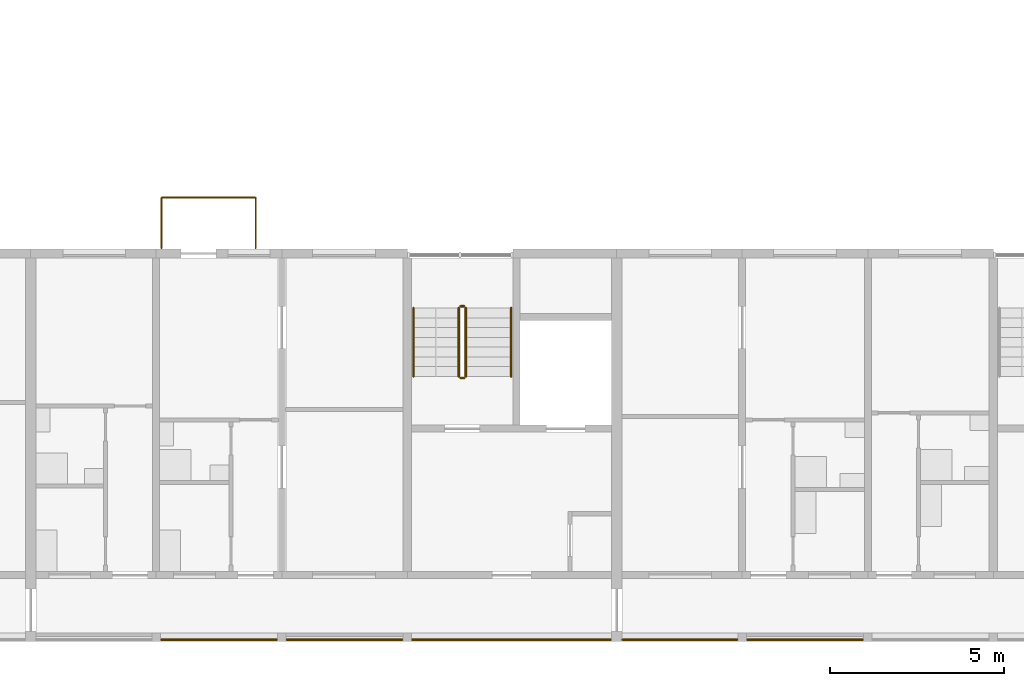
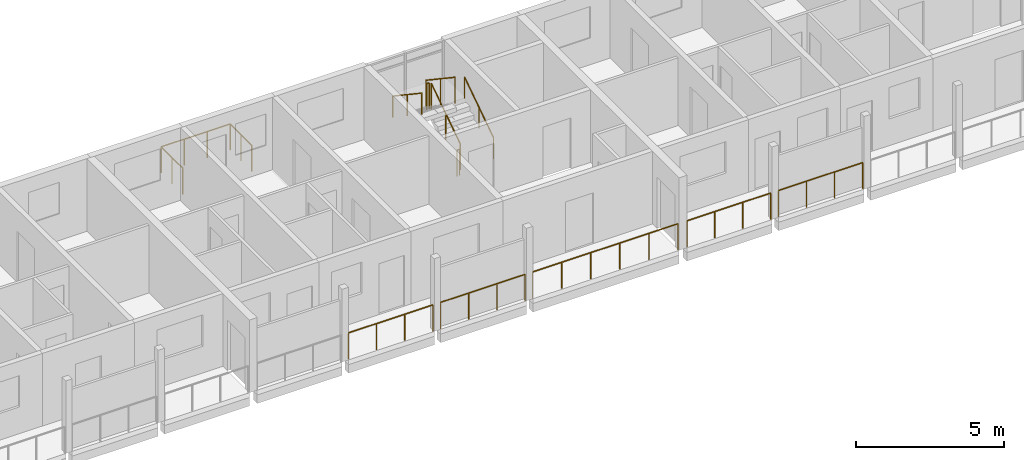
# One storey, part 83 of 93: 12 railings.
"""IFC4 building model written with IfcOpenShell, lengths in metres."""

from ifc_helpers import new_model, si_unit, direction, frame, origin, origin_2d, place, context, subcontext, project, spatial, circle, extrude, material, type_object, element, save


model = new_model("IFC4")

# Units and contexts
model_context = context("Model", 3, precision=1e-05, world=origin(), true_north=direction((0.0, 1.0)))
body_context = subcontext(model_context, "Body", "Model", "MODEL_VIEW")
ifc_project = project(units=[si_unit("LENGTHUNIT", "METRE"), si_unit("AREAUNIT", "SQUARE_METRE"), si_unit("VOLUMEUNIT", "CUBIC_METRE"), si_unit("PLANEANGLEUNIT", "RADIAN"), si_unit("MASSUNIT", "GRAM", prefix="KILO")], contexts=[model_context])

# Site, building, storey
site_placement = place(None, origin())
site = spatial("IfcSite", under=ifc_project, at=site_placement, CompositionType="ELEMENT")
building_placement = place(site_placement, origin())
building = spatial("IfcBuilding", under=site, at=building_placement, Name="Ridgestep Commons", CompositionType="ELEMENT")
storey_placement = place(building_placement, frame((0.0, 0.0, 18.0)))
storey = spatial("IfcBuildingStorey", under=building, at=storey_placement, Name="L06", CompositionType="ELEMENT", Elevation=18.0)

# Railings
ifc_material_1 = material(Name="Structural steel S355JR", Category="steel")
railing_type_1 = type_object("IfcRailingType", Name="Guard 1100", PredefinedType="GUARDRAIL", material=ifc_material_1)
railing_1_placement = place(storey_placement, frame((184.14599609375, 11.800048828125, 0.0)))
element("IfcRailing", 1, at=railing_1_placement, inside=storey, type_object=railing_type_1, Name="Gallery guard D 06.10", PredefinedType="GUARDRAIL", context=body_context, shape_type="SweptSolid", body=[
    extrude(circle(Radius=0.02392578125, at=origin_2d()), frame((0.0, 0.0, 1.076171875), z_axis=(1.0, 0.0, 0.0), x_axis=(0.0, 1.0, 0.0)), (0.0, 0.0, 1.0), 3.30810546875),
    extrude(circle(Radius=0.02099609375, at=origin_2d()), origin(), (0.0, 0.0, 1.0), 1.052001953125),
    extrude(circle(Radius=0.02099609375, at=origin_2d()), frame((1.102783203125, 0.0, 0.0)), (0.0, 0.0, 1.0), 1.052001953125),
    extrude(circle(Radius=0.02099609375, at=origin_2d()), frame((2.205322265625, 0.0, 0.0)), (0.0, 0.0, 1.0), 1.052001953125),
    extrude(circle(Radius=0.02099609375, at=origin_2d()), frame((3.30810546875, 0.0, 0.0)), (0.0, 0.0, 1.0), 1.052001953125),
])
railing_2_placement = place(storey_placement, frame((187.74609375, 11.800048828125, 0.0)))
element("IfcRailing", 2, at=railing_2_placement, inside=storey, type_object=railing_type_1, Name="Gallery guard D 06.11", PredefinedType="GUARDRAIL", context=body_context, shape_type="SweptSolid", body=[
    extrude(circle(Radius=0.02392578125, at=origin_2d()), frame((0.0, 0.0, 1.076171875), z_axis=(1.0, 0.0, 0.0), x_axis=(0.0, 1.0, 0.0)), (0.0, 0.0, 1.0), 3.307861328125),
    extrude(circle(Radius=0.02099609375, at=origin_2d()), origin(), (0.0, 0.0, 1.0), 1.052001953125),
    extrude(circle(Radius=0.02099609375, at=origin_2d()), frame((1.1025390625, 0.0, 0.0)), (0.0, 0.0, 1.0), 1.052001953125),
    extrude(circle(Radius=0.02099609375, at=origin_2d()), frame((2.205322265625, 0.0, 0.0)), (0.0, 0.0, 1.0), 1.052001953125),
    extrude(circle(Radius=0.02099609375, at=origin_2d()), frame((3.307861328125, 0.0, 0.0)), (0.0, 0.0, 1.0), 1.052001953125),
])
railing_3_placement = place(storey_placement, frame((191.345947265625, 11.800048828125, 0.0)))
element("IfcRailing", 3, at=railing_3_placement, inside=storey, type_object=railing_type_1, Name="Gallery guard D 06.12", PredefinedType="GUARDRAIL", context=body_context, shape_type="SweptSolid", body=[
    extrude(circle(Radius=0.02392578125, at=origin_2d()), frame((0.0, 0.0, 1.076171875), z_axis=(1.0, 0.0, 0.0), x_axis=(0.0, 1.0, 0.0)), (0.0, 0.0, 1.0), 5.68310546875),
    extrude(circle(Radius=0.02099609375, at=origin_2d()), origin(), (0.0, 0.0, 1.0), 1.052001953125),
    extrude(circle(Radius=0.02099609375, at=origin_2d()), frame((1.13671875, 0.0, 0.0)), (0.0, 0.0, 1.0), 1.052001953125),
    extrude(circle(Radius=0.02099609375, at=origin_2d()), frame((2.273193359375, 0.0, 0.0)), (0.0, 0.0, 1.0), 1.052001953125),
    extrude(circle(Radius=0.02099609375, at=origin_2d()), frame((3.409912109375, 0.0, 0.0)), (0.0, 0.0, 1.0), 1.052001953125),
    extrude(circle(Radius=0.02099609375, at=origin_2d()), frame((4.54638671875, 0.0, 0.0)), (0.0, 0.0, 1.0), 1.052001953125),
    extrude(circle(Radius=0.02099609375, at=origin_2d()), frame((5.68310546875, 0.0, 0.0)), (0.0, 0.0, 1.0), 1.052001953125),
])
railing_4_placement = place(storey_placement, frame((197.37109375, 11.800048828125, 0.0)))
element("IfcRailing", 4, at=railing_4_placement, inside=storey, type_object=railing_type_1, Name="Gallery guard D 06.13", PredefinedType="GUARDRAIL", context=body_context, shape_type="SweptSolid", body=[
    extrude(circle(Radius=0.02392578125, at=origin_2d()), frame((0.0, 0.0, 1.076171875), z_axis=(1.0, 0.0, 0.0), x_axis=(0.0, 1.0, 0.0)), (0.0, 0.0, 1.0), 3.282958984375),
    extrude(circle(Radius=0.02099609375, at=origin_2d()), origin(), (0.0, 0.0, 1.0), 1.052001953125),
    extrude(circle(Radius=0.02099609375, at=origin_2d()), frame((1.09423828125, 0.0, 0.0)), (0.0, 0.0, 1.0), 1.052001953125),
    extrude(circle(Radius=0.02099609375, at=origin_2d()), frame((2.188720703125, 0.0, 0.0)), (0.0, 0.0, 1.0), 1.052001953125),
    extrude(circle(Radius=0.02099609375, at=origin_2d()), frame((3.282958984375, 0.0, 0.0)), (0.0, 0.0, 1.0), 1.052001953125),
])
railing_5_placement = place(storey_placement, frame((200.946044921875, 11.800048828125, 0.0)))
element("IfcRailing", 5, at=railing_5_placement, inside=storey, type_object=railing_type_1, Name="Gallery guard D 06.14", PredefinedType="GUARDRAIL", context=body_context, shape_type="SweptSolid", body=[
    extrude(circle(Radius=0.02392578125, at=origin_2d()), frame((0.0, 0.0, 1.076171875), z_axis=(1.0, 0.0, 0.0), x_axis=(0.0, 1.0, 0.0)), (0.0, 0.0, 1.0), 3.307861328125),
    extrude(circle(Radius=0.02099609375, at=origin_2d()), origin(), (0.0, 0.0, 1.0), 1.052001953125),
    extrude(circle(Radius=0.02099609375, at=origin_2d()), frame((1.1025390625, 0.0, 0.0)), (0.0, 0.0, 1.0), 1.052001953125),
    extrude(circle(Radius=0.02099609375, at=origin_2d()), frame((2.205322265625, 0.0, 0.0)), (0.0, 0.0, 1.0), 1.052001953125),
    extrude(circle(Radius=0.02099609375, at=origin_2d()), frame((3.307861328125, 0.0, 0.0)), (0.0, 0.0, 1.0), 1.052001953125),
])
ifc_material_2 = material(Name="Structural steel S355JR", Category="steel")
railing_type_2 = type_object("IfcRailingType", Name="Stair guard 1100", PredefinedType="GUARDRAIL", material=ifc_material_2)
railing_6_placement = place(storey_placement, frame((192.875, 19.35009765625, 0.1875)))
element("IfcRailing", 6, at=railing_6_placement, inside=storey, type_object=railing_type_2, Name="L06 D3C stair guard 1", PredefinedType="GUARDRAIL", context=body_context, shape_type="SweptSolid", body=[
    extrude(circle(Radius=0.02392578125, at=origin_2d()), frame((0.0, 0.0, 1.076171875), z_axis=(0.0, 0.830902050051, 0.556418712142), x_axis=(-1.0, 0.0, 0.0)), (0.0, 0.0, 1.0), 2.35888671875),
    extrude(circle(Radius=0.02099609375, at=origin_2d()), origin(), (0.0, 0.0, 1.0), 1.052001953125),
    extrude(circle(Radius=0.02099609375, at=origin_2d()), frame((0.0, 0.97998046875, 0.65625)), (0.0, 0.0, 1.0), 1.052001953125),
    extrude(circle(Radius=0.02099609375, at=origin_2d()), frame((0.0, 1.9599609375, 1.3125)), (0.0, 0.0, 1.0), 1.052001953125),
])
railing_7_placement = place(storey_placement, frame((192.824951171875, 21.360107421875, 1.5)))
element("IfcRailing", 7, at=railing_7_placement, inside=storey, type_object=railing_type_2, Name="L06 D3C stair guard 2", PredefinedType="GUARDRAIL", context=body_context, shape_type="SweptSolid", body=[
    extrude(circle(Radius=0.02392578125, at=origin_2d()), frame((0.0, 0.0, 1.076171875), z_axis=(-1.0, 0.0, 0.0), x_axis=(0.0, -1.0, 0.0)), (0.0, 0.0, 1.0), 0.099853515625),
    extrude(circle(Radius=0.02099609375, at=origin_2d()), origin(), (0.0, 0.0, 1.0), 1.052001953125),
    extrude(circle(Radius=0.02099609375, at=origin_2d()), frame((-0.099853515625, 0.0, 0.0)), (0.0, 0.0, 1.0), 1.052001953125),
])
railing_8_placement = place(storey_placement, frame((192.675048828125, 21.31005859375, 1.6875)))
element("IfcRailing", 8, at=railing_8_placement, inside=storey, type_object=railing_type_2, Name="L06 D3C stair guard 3", PredefinedType="GUARDRAIL", context=body_context, shape_type="SweptSolid", body=[
    extrude(circle(Radius=0.02392578125, at=origin_2d()), frame((0.0, 0.0, 1.076171875), z_axis=(0.0, -0.830902050051, 0.556418712142), x_axis=(1.0, 0.0, 0.0)), (0.0, 0.0, 1.0), 2.35888671875),
    extrude(circle(Radius=0.02099609375, at=origin_2d()), origin(), (0.0, 0.0, 1.0), 1.052001953125),
    extrude(circle(Radius=0.02099609375, at=origin_2d()), frame((0.0, -0.97998046875, 0.65625)), (0.0, 0.0, 1.0), 1.052001953125),
    extrude(circle(Radius=0.02099609375, at=origin_2d()), frame((0.0, -1.9599609375, 1.3125)), (0.0, 0.0, 1.0), 1.052001953125),
])
railing_9_placement = place(storey_placement, frame((192.824951171875, 19.300048828125, 0.0)))
element("IfcRailing", 9, at=railing_9_placement, inside=storey, type_object=railing_type_2, Name="L06 D3C stair guard 4", PredefinedType="GUARDRAIL", context=body_context, shape_type="SweptSolid", body=[
    extrude(circle(Radius=0.02392578125, at=origin_2d()), frame((0.0, 0.0, 1.076171875), z_axis=(-1.0, 0.0, 0.0), x_axis=(0.0, -1.0, 0.0)), (0.0, 0.0, 1.0), 0.099853515625),
    extrude(circle(Radius=0.02099609375, at=origin_2d()), origin(), (0.0, 0.0, 1.0), 1.052001953125),
    extrude(circle(Radius=0.02099609375, at=origin_2d()), frame((-0.099853515625, 0.0, 0.0)), (0.0, 0.0, 1.0), 1.052001953125),
])
ifc_material_3 = material(Name="Structural steel S355JR", Category="steel")
railing_type_3 = type_object("IfcRailingType", Name="Stair handrail 900", PredefinedType="HANDRAIL", material=ifc_material_3)
railing_10_placement = place(storey_placement, frame((194.175048828125, 19.35009765625, 0.1875)))
element("IfcRailing", 10, at=railing_10_placement, inside=storey, type_object=railing_type_3, Name="L06 D3C stair handrail 1", PredefinedType="HANDRAIL", context=body_context, shape_type="SweptSolid", body=[
    extrude(circle(Radius=0.02392578125, at=origin_2d()), frame((0.0, 0.0, 0.8759765625), z_axis=(0.0, 0.830902050051, 0.556418712142), x_axis=(-1.0, 0.0, 0.0)), (0.0, 0.0, 1.0), 2.35888671875),
    extrude(circle(Radius=0.02099609375, at=origin_2d()), origin(), (0.0, 0.0, 1.0), 0.851806640625),
    extrude(circle(Radius=0.02099609375, at=origin_2d()), frame((0.0, 0.97998046875, 0.65625)), (0.0, 0.0, 1.0), 0.851806640625),
    extrude(circle(Radius=0.02099609375, at=origin_2d()), frame((0.0, 1.9599609375, 1.3125)), (0.0, 0.0, 1.0), 0.851806640625),
])
railing_11_placement = place(storey_placement, frame((191.375, 21.31005859375, 1.6875)))
element("IfcRailing", 11, at=railing_11_placement, inside=storey, type_object=railing_type_3, Name="L06 D3C stair handrail 2", PredefinedType="HANDRAIL", context=body_context, shape_type="SweptSolid", body=[
    extrude(circle(Radius=0.02392578125, at=origin_2d()), frame((0.0, 0.0, 0.8759765625), z_axis=(0.0, -0.830902050051, 0.556418712142), x_axis=(1.0, 0.0, 0.0)), (0.0, 0.0, 1.0), 2.35888671875),
    extrude(circle(Radius=0.02099609375, at=origin_2d()), origin(), (0.0, 0.0, 1.0), 0.851806640625),
    extrude(circle(Radius=0.02099609375, at=origin_2d()), frame((0.0, -0.97998046875, 0.65625)), (0.0, 0.0, 1.0), 0.851806640625),
    extrude(circle(Radius=0.02099609375, at=origin_2d()), frame((0.0, -1.9599609375, 1.3125)), (0.0, 0.0, 1.0), 0.851806640625),
])
ifc_material_4 = material(Name="Weathering steel S355J2W", Category="steel")
railing_type_4 = type_object("IfcRailingType", Name="Tray guard 1100", PredefinedType="GUARDRAIL", material=ifc_material_4)
railing_12_placement = place(storey_placement, frame((184.15087890625, 23.02099609375, 0.0)))
element("IfcRailing", 12, at=railing_12_placement, inside=storey, type_object=railing_type_4, Name="Tray guard D3T2-06", PredefinedType="GUARDRAIL", context=body_context, shape_type="SweptSolid", body=[
    extrude(circle(Radius=0.02392578125, at=origin_2d()), frame((0.0, 0.0, 1.076171875), z_axis=(0.0, 1.0, 0.0), x_axis=(-1.0, 0.0, 0.0)), (0.0, 0.0, 1.0), 1.4580078125),
    extrude(circle(Radius=0.02392578125, at=origin_2d()), frame((0.0, 1.4580078125, 1.076171875), z_axis=(1.0, 0.0, 0.0), x_axis=(0.0, 1.0, 0.0)), (0.0, 0.0, 1.0), 2.6982421875),
    extrude(circle(Radius=0.02392578125, at=origin_2d()), frame((2.6982421875, 1.4580078125, 1.076171875), z_axis=(0.0, -1.0, 0.0), x_axis=(1.0, 0.0, 0.0)), (0.0, 0.0, 1.0), 1.4580078125),
    extrude(circle(Radius=0.02099609375, at=origin_2d()), origin(), (0.0, 0.0, 1.0), 1.052001953125),
    extrude(circle(Radius=0.02099609375, at=origin_2d()), frame((0.0, 0.72900390625, 0.0)), (0.0, 0.0, 1.0), 1.052001953125),
    extrude(circle(Radius=0.02099609375, at=origin_2d()), frame((0.0, 1.4580078125, 0.0)), (0.0, 0.0, 1.0), 1.052001953125),
    extrude(circle(Radius=0.02099609375, at=origin_2d()), frame((0.8994140625, 1.4580078125, 0.0)), (0.0, 0.0, 1.0), 1.052001953125),
    extrude(circle(Radius=0.02099609375, at=origin_2d()), frame((1.798828125, 1.4580078125, 0.0)), (0.0, 0.0, 1.0), 1.052001953125),
    extrude(circle(Radius=0.02099609375, at=origin_2d()), frame((2.6982421875, 1.4580078125, 0.0)), (0.0, 0.0, 1.0), 1.052001953125),
    extrude(circle(Radius=0.02099609375, at=origin_2d()), frame((2.6982421875, 0.72900390625, 0.0)), (0.0, 0.0, 1.0), 1.052001953125),
    extrude(circle(Radius=0.02099609375, at=origin_2d()), frame((2.6982421875, 0.0, 0.0)), (0.0, 0.0, 1.0), 1.052001953125),
])

save(model, "model.ifc")
